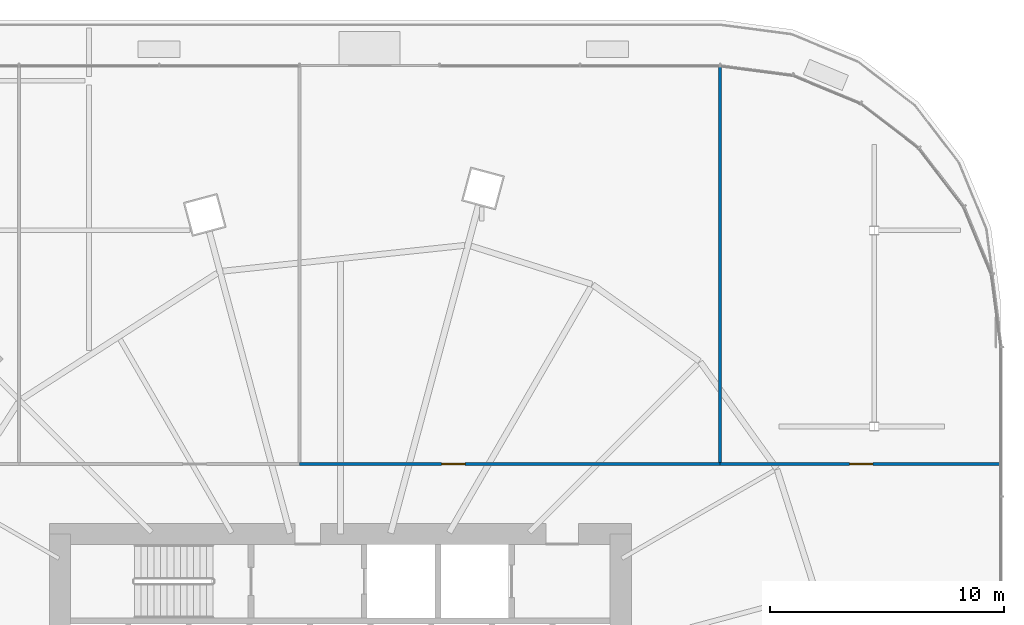
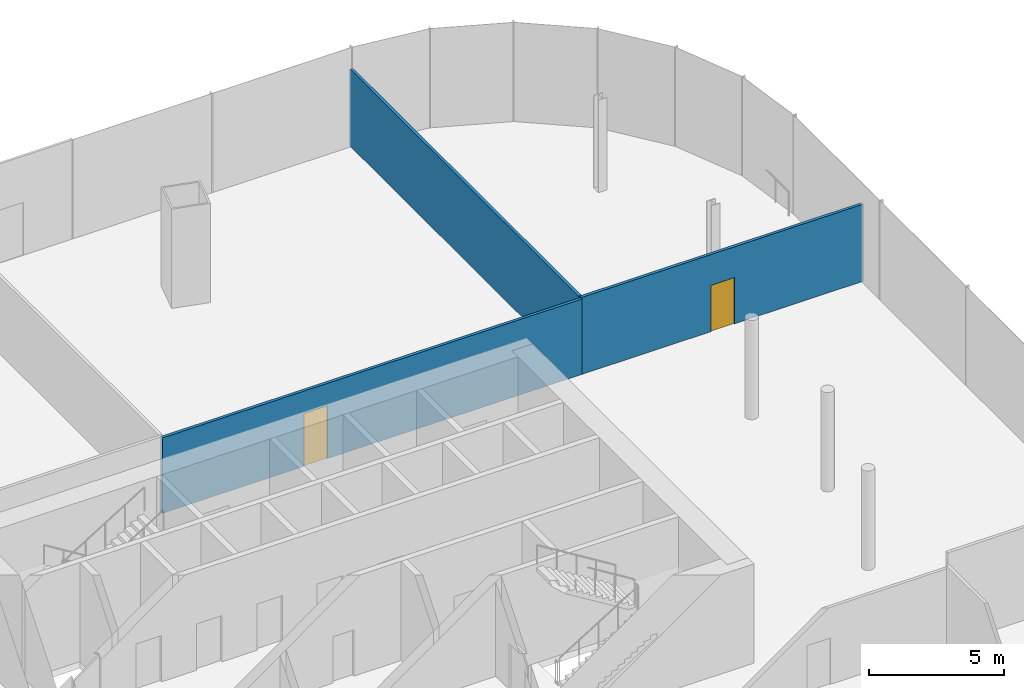
# One storey, part 41 of 52: 3 walls, 2 doors, 2 openings.
"""IFC4 building model written with IfcOpenShell, lengths in metres."""

from ifc_helpers import new_model, si_unit, direction, frame, frame_2d, origin, place, context, subcontext, project, spatial, rectangle, extrude, material, layer, layer_set, type_object, element, fill, save


model = new_model("IFC4")

# Units and contexts
model_context = context("Model", 3, precision=1e-05, world=origin(), true_north=direction((0.0, 1.0)))
body_context = subcontext(model_context, "Body", "Model", "MODEL_VIEW")
ifc_project = project(units=[si_unit("LENGTHUNIT", "METRE"), si_unit("AREAUNIT", "SQUARE_METRE"), si_unit("VOLUMEUNIT", "CUBIC_METRE"), si_unit("PLANEANGLEUNIT", "RADIAN"), si_unit("MASSUNIT", "GRAM", prefix="KILO")], contexts=[model_context])

# Site, building, storey
site_placement = place(None, origin())
site = spatial("IfcSite", under=ifc_project, at=site_placement, CompositionType="ELEMENT")
building_placement = place(site_placement, origin())
building = spatial("IfcBuilding", under=site, at=building_placement, Name="Rimbun Link Towers", CompositionType="ELEMENT")
storey_placement = place(building_placement, frame((0.0, 0.0, 21.0)))
storey = spatial("IfcBuildingStorey", under=building, at=storey_placement, Name="L04", CompositionType="ELEMENT", Elevation=21.0)

# Wall, opening, door
ifc_material_1 = material(Name="Gypsum board on steel studs", Category="steel")
ifc_layer = layer(ifc_material_1, 0.125)
ifc_layer_set = layer_set([ifc_layer], Name="Partition 125 board on studs")
wall_type = type_object("IfcWallType", Name="Partition 125 board on studs", PredefinedType="PARTITIONING", material=ifc_layer_set)
wall_1_placement = place(storey_placement, frame((48.0, 11.0, 0.0), z_axis=(0.0, 0.0, 1.0), x_axis=(-1.0, 0.0, 0.0)))
wall_1 = element("IfcWall", 1, at=wall_1_placement, inside=storey, type_object=wall_type, Name="PD/PW/L04/043", PredefinedType="PARTITIONING", context=body_context, shape_type="SweptSolid", body=[
    extrude(rectangle(XDim=18.0, YDim=0.125, at=frame_2d((9.0, 0.0))), origin(), (0.0, 0.0, 1.0), 3.41796875),
])
opening_1_placement = place(wall_1_placement, frame((10.9150390625, 0.0, 0.0)))
opening_1 = element("IfcOpeningElement", 2, at=opening_1_placement, cuts=wall_1, Name="Opening PD D04.21", PredefinedType="OPENING", context=body_context, shape_type="SweptSolid", body=[
    extrude(rectangle(XDim=1.0, YDim=2.39990234375, at=frame_2d((0.5, 1.199951171875))), frame((0.0, 0.072509765625, 0.0), z_axis=(0.0, -1.0, 0.0), x_axis=(1.0, 0.0, 0.0)), (0.0, 0.0, 1.0), 0.14501953125),
])
ifc_material_2 = material(Name="Timber door set", Category="wood")
door_type_1 = type_object("IfcDoorType", Name="Hall door single leaf 1000 x 2400", OperationType="NOTDEFINED", PredefinedType="DOOR", material=ifc_material_2)
door_1_placement = place(opening_1_placement, origin())
door_1 = element("IfcDoor", 3, at=door_1_placement, inside=storey, type_object=door_type_1, Name="PD/DR/L04/021", OperationType="SINGLE_SWING_RIGHT", OverallHeight=2.39990234375, OverallWidth=1.0, PredefinedType="DOOR", context=body_context, shape_type="SweptSolid", body=[
    extrude(rectangle(XDim=1.0, YDim=2.39990234375, at=frame_2d((0.5, 1.199951171875))), frame((0.0, 0.02490234375, 0.0), z_axis=(0.0, -1.0, 0.0), x_axis=(1.0, 0.0, 0.0)), (0.0, 0.0, 1.0), 0.050048828125),
])
fill(opening_1, door_1)

wall_2_placement = place(storey_placement, frame((60.080078125, 11.0, 0.0), z_axis=(0.0, 0.0, 1.0), x_axis=(-1.0, 0.0, 0.0)))
wall_2 = element("IfcWall", 4, at=wall_2_placement, inside=storey, type_object=wall_type, Name="PD/PW/L04/044", PredefinedType="PARTITIONING", context=body_context, shape_type="SweptSolid", body=[
    extrude(rectangle(XDim=12.080078125, YDim=0.125, at=frame_2d((6.0400390625, 0.0))), origin(), (0.0, 0.0, 1.0), 3.49609375),
])
opening_2_placement = place(wall_2_placement, frame((5.5400390625, 0.0, 0.0)))
opening_2 = element("IfcOpeningElement", 5, at=opening_2_placement, cuts=wall_2, Name="Opening PD D04.22", PredefinedType="OPENING", context=body_context, shape_type="SweptSolid", body=[
    extrude(rectangle(XDim=1.0, YDim=2.10009765625, at=frame_2d((0.5, 1.050048828125))), frame((0.0, 0.072509765625, 0.0), z_axis=(0.0, -1.0, 0.0), x_axis=(1.0, 0.0, 0.0)), (0.0, 0.0, 1.0), 0.14501953125),
])
ifc_material_3 = material(Name="Timber door set", Category="wood")
door_type_2 = type_object("IfcDoorType", Name="Door single leaf 1000 x 2100", OperationType="NOTDEFINED", PredefinedType="DOOR", material=ifc_material_3)
door_2_placement = place(opening_2_placement, origin())
door_2 = element("IfcDoor", 6, at=door_2_placement, inside=storey, type_object=door_type_2, Name="PD/DR/L04/022", OperationType="SINGLE_SWING_LEFT", OverallHeight=2.10009765625, OverallWidth=1.0, PredefinedType="DOOR", context=body_context, shape_type="SweptSolid", body=[
    extrude(rectangle(XDim=1.0, YDim=2.10009765625, at=frame_2d((0.5, 1.050048828125))), frame((0.0, 0.02490234375, 0.0), z_axis=(0.0, -1.0, 0.0), x_axis=(1.0, 0.0, 0.0)), (0.0, 0.0, 1.0), 0.050048828125),
])
fill(opening_2, door_2)

# Wall
wall_3_placement = place(storey_placement, frame((48.0, 11.0625, 0.0), z_axis=(0.0, 0.0, 1.0), x_axis=(0.0, 1.0, 0.0)))
element("IfcWall", 7, at=wall_3_placement, inside=storey, type_object=wall_type, Name="PD/PW/L04/071", PredefinedType="PARTITIONING", context=body_context, shape_type="SweptSolid", body=[
    extrude(rectangle(XDim=17.017578125, YDim=0.125, at=frame_2d((8.5087890625, 0.0))), origin(), (0.0, 0.0, 1.0), 3.49609375),
])

save(model, "model.ifc")
